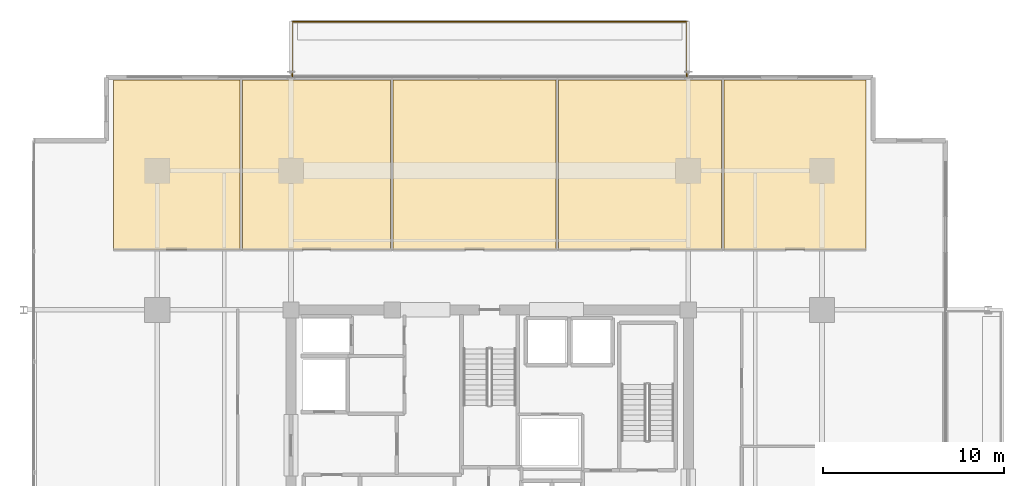
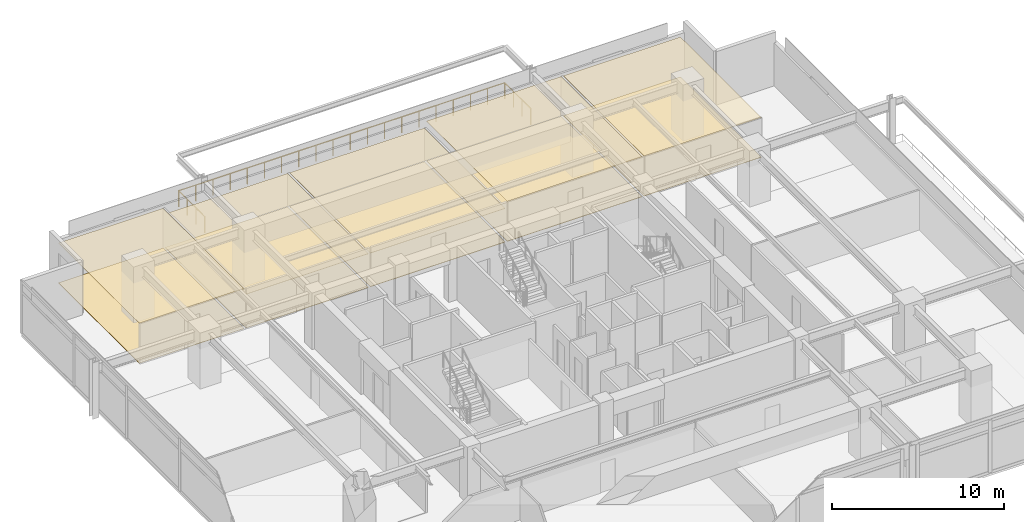
# One storey, part 20 of 20: 10 coverings, 1 railing.
"""IFC4 building model written with IfcOpenShell, lengths in metres."""

from ifc_helpers import new_model, si_unit, direction, frame, origin, origin_2d, place, context, subcontext, project, spatial, polyline, circle, outline, extrude, material, layer, layer_set, type_object, element, save


model = new_model("IFC4")

# Units and contexts
model_context = context("Model", 3, precision=1e-05, world=origin(), true_north=direction((0.0, 1.0)))
body_context = subcontext(model_context, "Body", "Model", "MODEL_VIEW")
ifc_project = project(units=[si_unit("LENGTHUNIT", "METRE"), si_unit("AREAUNIT", "SQUARE_METRE"), si_unit("VOLUMEUNIT", "CUBIC_METRE"), si_unit("PLANEANGLEUNIT", "RADIAN"), si_unit("MASSUNIT", "GRAM", prefix="KILO")], contexts=[model_context])

# Site, building, storey
site_placement = place(None, origin())
site = spatial("IfcSite", under=ifc_project, at=site_placement, CompositionType="ELEMENT")
building_placement = place(site_placement, origin())
building = spatial("IfcBuilding", under=site, at=building_placement, Name="Kovane Verandah Tower", CompositionType="ELEMENT")
storey_placement = place(building_placement, frame((0.0, 0.0, 213.199951171875)))
storey = spatial("IfcBuildingStorey", under=building, at=storey_placement, Name="L49", CompositionType="ELEMENT", Elevation=213.199951171875)

# Coverings
ifc_material_1 = material(Name="Perforated Acoustic Mineral-Fibre Ceiling Tile", Category="gypsum")
ifc_layer_1 = layer(ifc_material_1, 0.02490234375)
ifc_layer_set_1 = layer_set([ifc_layer_1], Name="Perforated Acoustic Mineral-Fibre Ceiling Tile")
covering_type_1 = type_object("IfcCoveringType", Name="CV-CEIL-25", PredefinedType="CEILING", material=ifc_layer_set_1)
covering_1_placement = place(storey_placement, frame((0.0, 0.0, 2.824951171875)))
element("IfcCovering", 1, at=covering_1_placement, inside=storey, type_object=covering_type_1, Name="L49 Executive Office N1 Acoustic Ceiling", PredefinedType="CEILING", context=body_context, shape_type="SweptSolid", body=[
    extrude(outline(polyline([(19.168212890625, 39.85009765625), (26.18115234375, 39.85009765625), (26.18115234375, 49.230712890625), (19.168212890625, 49.230712890625), (19.168212890625, 39.85009765625)])), origin(), (0.0, 0.0, 1.0), 0.025146484375),
])
covering_2_placement = place(storey_placement, frame((0.0, 0.0, 2.380126953125)))
element("IfcCovering", 2, at=covering_2_placement, inside=storey, type_object=covering_type_1, Name="L49 Client Boardroom N2 Acoustic Ceiling", PredefinedType="CEILING", context=body_context, shape_type="SweptSolid", body=[
    extrude(outline(polyline([(26.321044921875, 39.85009765625), (34.513916015625, 39.85009765625), (34.513916015625, 49.230712890625), (26.321044921875, 49.230712890625), (26.321044921875, 39.85009765625)])), origin(), (0.0, 0.0, 1.0), 0.02490234375),
])
covering_3_placement = place(storey_placement, frame((0.0, 0.0, 2.380126953125)))
element("IfcCovering", 3, at=covering_3_placement, inside=storey, type_object=covering_type_1, Name="L49 Meeting Room N3 Acoustic Ceiling", PredefinedType="CEILING", context=body_context, shape_type="SweptSolid", body=[
    extrude(outline(polyline([(34.65380859375, 39.85009765625), (43.6796875, 39.85009765625), (43.6796875, 49.230712890625), (34.65380859375, 49.230712890625), (34.65380859375, 39.85009765625)])), origin(), (0.0, 0.0, 1.0), 0.02490234375),
])
covering_4_placement = place(storey_placement, frame((0.0, 0.0, 2.824951171875)))
element("IfcCovering", 4, at=covering_4_placement, inside=storey, type_object=covering_type_1, Name="L49 Focus Studio N4 Acoustic Ceiling", PredefinedType="CEILING", context=body_context, shape_type="SweptSolid", body=[
    extrude(outline(polyline([(43.819580078125, 39.85009765625), (52.845703125, 39.85009765625), (52.845703125, 49.230712890625), (43.819580078125, 49.230712890625), (43.819580078125, 39.85009765625)])), origin(), (0.0, 0.0, 1.0), 0.025146484375),
])
covering_5_placement = place(storey_placement, frame((0.0, 0.0, 2.824951171875)))
element("IfcCovering", 5, at=covering_5_placement, inside=storey, type_object=covering_type_1, Name="L49 Breakout Pantry N5 Acoustic Ceiling", PredefinedType="CEILING", context=body_context, shape_type="SweptSolid", body=[
    extrude(outline(polyline([(52.985595703125, 39.85009765625), (60.831787109375, 39.85009765625), (60.831787109375, 49.230712890625), (52.985595703125, 49.230712890625), (52.985595703125, 39.85009765625)])), origin(), (0.0, 0.0, 1.0), 0.025146484375),
])
ifc_material_2 = material(Name="Polished Terrazzo and Raised-Access Carpet Tile Finish", Category="concrete")
ifc_layer_2 = layer(ifc_material_2, 0.030029296875)
ifc_layer_set_2 = layer_set([ifc_layer_2], Name="Polished Terrazzo and Raised-Access Carpet Tile Finish")
covering_type_2 = type_object("IfcCoveringType", Name="CV-FLOR-30", PredefinedType="FLOORING", material=ifc_layer_set_2)
covering_6_placement = place(storey_placement, origin())
element("IfcCovering", 6, at=covering_6_placement, inside=storey, type_object=covering_type_2, Name="L49 Executive Office N1 Floor Finish", PredefinedType="FLOORING", context=body_context, shape_type="SweptSolid", body=[
    extrude(outline(polyline([(19.168212890625, 39.85009765625), (26.18115234375, 39.85009765625), (26.18115234375, 49.230712890625), (19.168212890625, 49.230712890625), (19.168212890625, 39.85009765625)])), origin(), (0.0, 0.0, 1.0), 0.030029296875),
])
covering_7_placement = place(storey_placement, origin())
element("IfcCovering", 7, at=covering_7_placement, inside=storey, type_object=covering_type_2, Name="L49 Client Boardroom N2 Floor Finish", PredefinedType="FLOORING", context=body_context, shape_type="SweptSolid", body=[
    extrude(outline(polyline([(26.321044921875, 39.85009765625), (34.513916015625, 39.85009765625), (34.513916015625, 49.230712890625), (26.321044921875, 49.230712890625), (26.321044921875, 39.85009765625)])), origin(), (0.0, 0.0, 1.0), 0.030029296875),
])
covering_8_placement = place(storey_placement, origin())
element("IfcCovering", 8, at=covering_8_placement, inside=storey, type_object=covering_type_2, Name="L49 Meeting Room N3 Floor Finish", PredefinedType="FLOORING", context=body_context, shape_type="SweptSolid", body=[
    extrude(outline(polyline([(34.65380859375, 39.85009765625), (43.6796875, 39.85009765625), (43.6796875, 49.230712890625), (34.65380859375, 49.230712890625), (34.65380859375, 39.85009765625)])), origin(), (0.0, 0.0, 1.0), 0.030029296875),
])
covering_9_placement = place(storey_placement, origin())
element("IfcCovering", 9, at=covering_9_placement, inside=storey, type_object=covering_type_2, Name="L49 Focus Studio N4 Floor Finish", PredefinedType="FLOORING", context=body_context, shape_type="SweptSolid", body=[
    extrude(outline(polyline([(43.819580078125, 39.85009765625), (52.845703125, 39.85009765625), (52.845703125, 49.230712890625), (43.819580078125, 49.230712890625), (43.819580078125, 39.85009765625)])), origin(), (0.0, 0.0, 1.0), 0.030029296875),
])
covering_10_placement = place(storey_placement, origin())
element("IfcCovering", 10, at=covering_10_placement, inside=storey, type_object=covering_type_2, Name="L49 Breakout Pantry N5 Floor Finish", PredefinedType="FLOORING", context=body_context, shape_type="SweptSolid", body=[
    extrude(outline(polyline([(52.985595703125, 39.85009765625), (60.831787109375, 39.85009765625), (60.831787109375, 49.230712890625), (52.985595703125, 49.230712890625), (52.985595703125, 39.85009765625)])), origin(), (0.0, 0.0, 1.0), 0.030029296875),
])

# Railing
ifc_material_3 = material(Name="Laminated Glass and Pale-Champagne Stainless Balustrade", Category="glass")
railing_type = type_object("IfcRailingType", Name="RL-BAL-1150", PredefinedType="BALUSTRADE", material=ifc_material_3)
railing_placement = place(storey_placement, frame((29.080078125, 49.4306640625, 0.0)))
element("IfcRailing", 11, at=railing_placement, inside=storey, type_object=railing_type, Name="L49 N Verandah Glass Balustrade", PredefinedType="BALUSTRADE", context=body_context, shape_type="SweptSolid", body=[
    extrude(circle(Radius=0.02392578125, at=origin_2d()), frame((0.0, 0.0, 1.1259765625), z_axis=(0.0, 1.0, 0.0), x_axis=(-1.0, 0.0, 0.0)), (0.0, 0.0, 1.0), 3.02001953125),
    extrude(circle(Radius=0.02392578125, at=origin_2d()), frame((0.0, 3.02001953125, 1.1259765625), z_axis=(1.0, 0.0, 0.0), x_axis=(0.0, 1.0, 0.0)), (0.0, 0.0, 1.0), 21.83984375),
    extrude(circle(Radius=0.02392578125, at=origin_2d()), frame((21.83984375, 3.02001953125, 1.1259765625), z_axis=(0.0, -1.0, 0.0), x_axis=(1.0, 0.0, 0.0)), (0.0, 0.0, 1.0), 3.02001953125),
    extrude(circle(Radius=0.02099609375, at=origin_2d()), origin(), (0.0, 0.0, 1.0), 1.101806640625),
    extrude(circle(Radius=0.02099609375, at=origin_2d()), frame((0.0, 1.006591796875, 0.0)), (0.0, 0.0, 1.0), 1.101806640625),
    extrude(circle(Radius=0.02099609375, at=origin_2d()), frame((0.0, 2.013427734375, 0.0)), (0.0, 0.0, 1.0), 1.101806640625),
    extrude(circle(Radius=0.02099609375, at=origin_2d()), frame((0.0, 3.02001953125, 0.0)), (0.0, 0.0, 1.0), 1.101806640625),
    extrude(circle(Radius=0.02099609375, at=origin_2d()), frame((1.1494140625, 3.02001953125, 0.0)), (0.0, 0.0, 1.0), 1.101806640625),
    extrude(circle(Radius=0.02099609375, at=origin_2d()), frame((2.298828125, 3.02001953125, 0.0)), (0.0, 0.0, 1.0), 1.101806640625),
    extrude(circle(Radius=0.02099609375, at=origin_2d()), frame((3.448486328125, 3.02001953125, 0.0)), (0.0, 0.0, 1.0), 1.101806640625),
    extrude(circle(Radius=0.02099609375, at=origin_2d()), frame((4.597900390625, 3.02001953125, 0.0)), (0.0, 0.0, 1.0), 1.101806640625),
    extrude(circle(Radius=0.02099609375, at=origin_2d()), frame((5.747314453125, 3.02001953125, 0.0)), (0.0, 0.0, 1.0), 1.101806640625),
    extrude(circle(Radius=0.02099609375, at=origin_2d()), frame((6.896728515625, 3.02001953125, 0.0)), (0.0, 0.0, 1.0), 1.101806640625),
    extrude(circle(Radius=0.02099609375, at=origin_2d()), frame((8.046142578125, 3.02001953125, 0.0)), (0.0, 0.0, 1.0), 1.101806640625),
    extrude(circle(Radius=0.02099609375, at=origin_2d()), frame((9.19580078125, 3.02001953125, 0.0)), (0.0, 0.0, 1.0), 1.101806640625),
    extrude(circle(Radius=0.02099609375, at=origin_2d()), frame((10.34521484375, 3.02001953125, 0.0)), (0.0, 0.0, 1.0), 1.101806640625),
    extrude(circle(Radius=0.02099609375, at=origin_2d()), frame((11.49462890625, 3.02001953125, 0.0)), (0.0, 0.0, 1.0), 1.101806640625),
    extrude(circle(Radius=0.02099609375, at=origin_2d()), frame((12.64404296875, 3.02001953125, 0.0)), (0.0, 0.0, 1.0), 1.101806640625),
    extrude(circle(Radius=0.02099609375, at=origin_2d()), frame((13.793701171875, 3.02001953125, 0.0)), (0.0, 0.0, 1.0), 1.101806640625),
    extrude(circle(Radius=0.02099609375, at=origin_2d()), frame((14.943115234375, 3.02001953125, 0.0)), (0.0, 0.0, 1.0), 1.101806640625),
    extrude(circle(Radius=0.02099609375, at=origin_2d()), frame((16.092529296875, 3.02001953125, 0.0)), (0.0, 0.0, 1.0), 1.101806640625),
    extrude(circle(Radius=0.02099609375, at=origin_2d()), frame((17.241943359375, 3.02001953125, 0.0)), (0.0, 0.0, 1.0), 1.101806640625),
    extrude(circle(Radius=0.02099609375, at=origin_2d()), frame((18.391357421875, 3.02001953125, 0.0)), (0.0, 0.0, 1.0), 1.101806640625),
    extrude(circle(Radius=0.02099609375, at=origin_2d()), frame((19.541015625, 3.02001953125, 0.0)), (0.0, 0.0, 1.0), 1.101806640625),
    extrude(circle(Radius=0.02099609375, at=origin_2d()), frame((20.6904296875, 3.02001953125, 0.0)), (0.0, 0.0, 1.0), 1.101806640625),
    extrude(circle(Radius=0.02099609375, at=origin_2d()), frame((21.83984375, 3.02001953125, 0.0)), (0.0, 0.0, 1.0), 1.101806640625),
    extrude(circle(Radius=0.02099609375, at=origin_2d()), frame((21.83984375, 2.013427734375, 0.0)), (0.0, 0.0, 1.0), 1.101806640625),
    extrude(circle(Radius=0.02099609375, at=origin_2d()), frame((21.83984375, 1.006591796875, 0.0)), (0.0, 0.0, 1.0), 1.101806640625),
    extrude(circle(Radius=0.02099609375, at=origin_2d()), frame((21.83984375, 0.0, 0.0)), (0.0, 0.0, 1.0), 1.101806640625),
])

save(model, "model.ifc")
